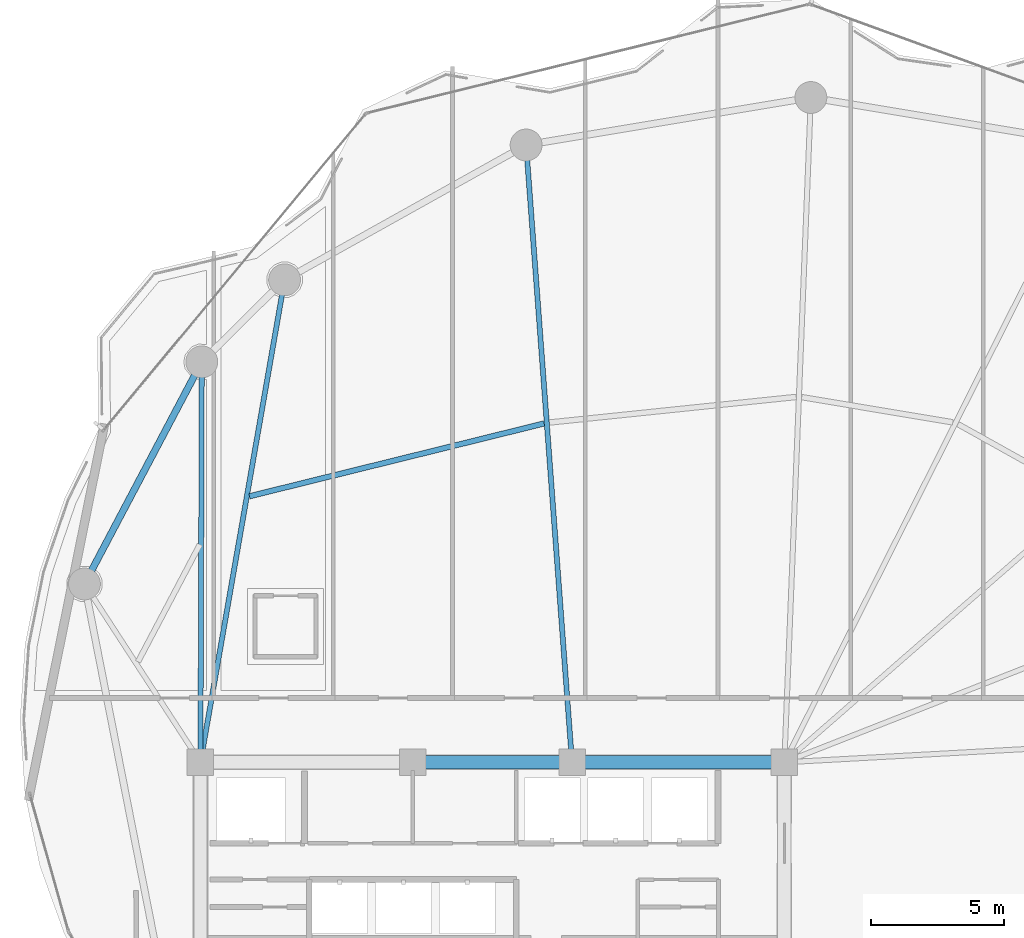
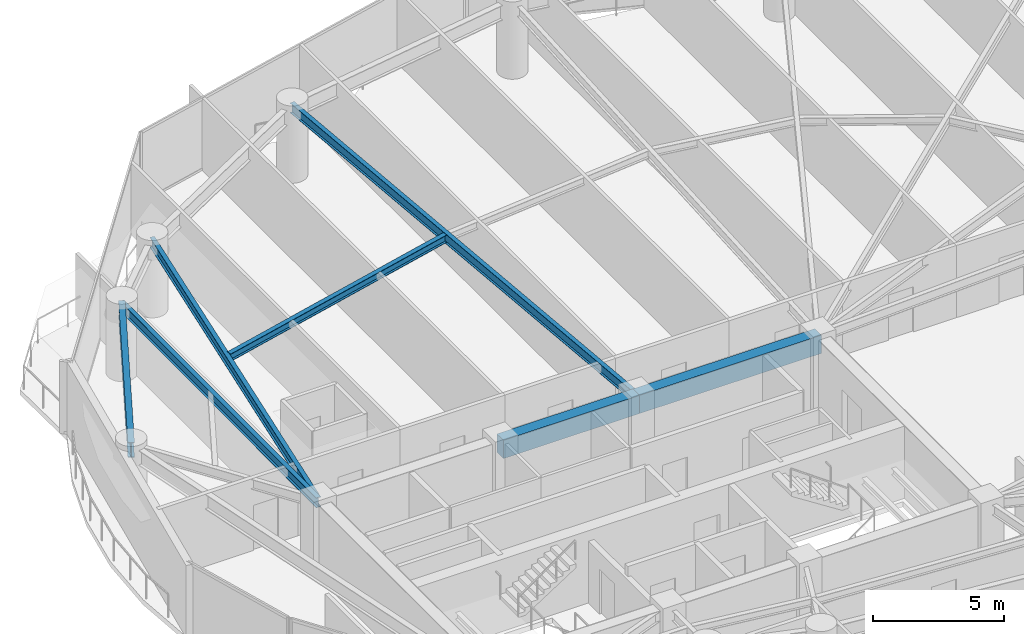
# One storey, part 8 of 28: 7 beams.
"""IFC4 building model written with IfcOpenShell, lengths in metres."""

from ifc_helpers import new_model, si_unit, direction, frame, origin, origin_2d, place, context, subcontext, project, spatial, rectangle, i_section, extrude, material, material_profile, profile_set, type_object, element, save


model = new_model("IFC4")

# Units and contexts
model_context = context("Model", 3, precision=1e-05, world=origin(), true_north=direction((0.0, 1.0)))
body_context = subcontext(model_context, "Body", "Model", "MODEL_VIEW")
ifc_project = project(units=[si_unit("LENGTHUNIT", "METRE"), si_unit("AREAUNIT", "SQUARE_METRE"), si_unit("VOLUMEUNIT", "CUBIC_METRE"), si_unit("PLANEANGLEUNIT", "RADIAN"), si_unit("MASSUNIT", "GRAM", prefix="KILO")], contexts=[model_context])

# Site, building, storey
site_placement = place(None, origin())
site = spatial("IfcSite", under=ifc_project, at=site_placement, CompositionType="ELEMENT")
building_placement = place(site_placement, origin())
building = spatial("IfcBuilding", under=site, at=building_placement, Name="Kazevale Care Tower and Concert Hall", CompositionType="ELEMENT")
storey_placement = place(building_placement, frame((0.0, 0.0, 135.0)))
storey = spatial("IfcBuildingStorey", under=building, at=storey_placement, Name="L35", CompositionType="ELEMENT", Elevation=135.0)

# Beams
ifc_material_1 = material(Name="Concrete C60", Category="concrete")
ifc_material_profile_1 = material_profile(ifc_material_1, rectangle(XDim=0.5, YDim=0.85009765625, at=origin_2d()), Name="RC-B500x850")
ifc_profile_set_1 = profile_set([ifc_material_profile_1], Name="Concrete C60")
beam_type_1 = type_object("IfcBeamType", Name="Core Coupling Beam RC500x850", PredefinedType="LINTEL", material=ifc_profile_set_1)
beam_1_placement = place(storey_placement, frame((44.0, 36.39990234375, 2.93505859375), z_axis=(-1.0, 0.0, 0.0), x_axis=(0.0, -1.0, 0.0)))
element("IfcBeam", 1, at=beam_1_placement, inside=storey, type_object=beam_type_1, Name="beam:L35:coretie:5", PredefinedType="LINTEL", context=body_context, shape_type="SweptSolid", body=[
    extrude(rectangle(XDim=0.5, YDim=0.85009765625, at=origin_2d()), origin(), (0.0, 0.0, 1.0), 8.0),
])
beam_2_placement = place(storey_placement, frame((36.0, 36.39990234375, 2.93505859375), z_axis=(-1.0, 0.0, 0.0), x_axis=(0.0, -1.0, 0.0)))
element("IfcBeam", 2, at=beam_2_placement, inside=storey, type_object=beam_type_1, Name="beam:L35:coretie:6", PredefinedType="LINTEL", context=body_context, shape_type="SweptSolid", body=[
    extrude(rectangle(XDim=0.5, YDim=0.85009765625, at=origin_2d()), origin(), (0.0, 0.0, 1.0), 6.0),
])
ifc_material_2 = material(Name="Steel ASTM A572 Gr 50", Category="steel")
ifc_material_profile_2 = material_profile(ifc_material_2, i_section(OverallWidth=0.19091796875, OverallDepth=0.4599609375, WebThickness=0.010009765625, FlangeThickness=0.01611328125, at=origin_2d()), Name="W460x82")
ifc_profile_set_2 = profile_set([ifc_material_profile_2], Name="Steel ASTM A572 Gr 50")
beam_type_2 = type_object("IfcBeamType", Name="Radial Floor Beam W460x82", PredefinedType="BEAM", material=ifc_profile_set_2)
beam_3_placement = place(storey_placement, frame((36.0, 36.39990234375, 3.1298828125), z_axis=(-0.074170876808, 0.997245547011, 0.0), x_axis=(-0.997245547011, -0.074170876808, 0.0)))
element("IfcBeam", 3, at=beam_3_placement, inside=storey, type_object=beam_type_2, Name="beam:L35:rad:06", PredefinedType="BEAM", context=body_context, shape_type="SweptSolid", body=[
    extrude(i_section(OverallWidth=0.19091796875, OverallDepth=0.4599609375, WebThickness=0.010009765625, FlangeThickness=0.01611328125, at=origin_2d()), origin(), (0.0, 0.0, 1.0), 23.32421875),
])
beam_4_placement = place(storey_placement, frame((22.0, 36.39990234375, 3.1298828125), z_axis=(0.171769935245, 0.985137091651, 0.0), x_axis=(-0.985137091651, 0.171769935245, 0.0)))
element("IfcBeam", 4, at=beam_4_placement, inside=storey, type_object=beam_type_2, Name="beam:L35:rad:07", PredefinedType="BEAM", context=body_context, shape_type="SweptSolid", body=[
    extrude(i_section(OverallWidth=0.19091796875, OverallDepth=0.4599609375, WebThickness=0.010009765625, FlangeThickness=0.01611328125, at=origin_2d()), origin(), (0.0, 0.0, 1.0), 18.454345703125),
])
beam_5_placement = place(storey_placement, frame((22.0, 36.39990234375, 3.1298828125), z_axis=(0.003316650851, 0.999994499898, 0.0), x_axis=(-0.999994499898, 0.003316650851, 0.0)))
element("IfcBeam", 5, at=beam_5_placement, inside=storey, type_object=beam_type_2, Name="beam:L35:rad:08", PredefinedType="BEAM", context=body_context, shape_type="SweptSolid", body=[
    extrude(i_section(OverallWidth=0.19091796875, OverallDepth=0.4599609375, WebThickness=0.010009765625, FlangeThickness=0.01611328125, at=origin_2d()), origin(), (0.0, 0.0, 1.0), 15.090087890625),
])
ifc_material_profile_3 = material_profile(ifc_material_2, i_section(OverallWidth=0.205078125, OverallDepth=0.35400390625, WebThickness=0.009521484375, FlangeThickness=0.016845703125, at=origin_2d()), Name="W360x79")
ifc_profile_set_3 = profile_set([ifc_material_profile_3], Name="Steel ASTM A572 Gr 50")
beam_type_3 = type_object("IfcBeamType", Name="Secondary Floor Joist W360x79", PredefinedType="JOIST", material=ifc_profile_set_3)
beam_6_placement = place(storey_placement, frame((34.947021484375, 49.16796875, 3.18310546875), z_axis=(-0.970789504014, -0.239932779954, 0.0), x_axis=(0.239932779954, -0.970789504014, 0.0)))
element("IfcBeam", 6, at=beam_6_placement, inside=storey, type_object=beam_type_3, Name="beam:L35:joist:06", PredefinedType="JOIST", context=body_context, shape_type="SweptSolid", body=[
    extrude(i_section(OverallWidth=0.205078125, OverallDepth=0.35400390625, WebThickness=0.009521484375, FlangeThickness=0.016845703125, at=origin_2d()), origin(), (0.0, 0.0, 1.0), 11.43603515625),
])
ifc_material_profile_4 = material_profile(ifc_material_2, i_section(OverallWidth=0.256103515625, OverallDepth=0.693115234375, WebThickness=0.014404296875, FlangeThickness=0.023681640625, at=origin_2d()), Name="W690x170")
ifc_profile_set_4 = profile_set([ifc_material_profile_4], Name="Steel ASTM A572 Gr 50")
beam_type_4 = type_object("IfcBeamType", Name="Waist Ring Beam W690x170", PredefinedType="BEAM", material=ifc_profile_set_4)
beam_7_placement = place(storey_placement, frame((22.050048828125, 51.489990234375, 3.013427734375), z_axis=(-0.466984438127, -0.884265533959, 0.0), x_axis=(0.884265533959, -0.466984438127, 0.0)))
element("IfcBeam", 7, at=beam_7_placement, inside=storey, type_object=beam_type_4, Name="beam:L35:ring:08", PredefinedType="BEAM", context=body_context, shape_type="SweptSolid", body=[
    extrude(i_section(OverallWidth=0.256103515625, OverallDepth=0.693115234375, WebThickness=0.014404296875, FlangeThickness=0.023681640625, at=origin_2d()), origin(), (0.0, 0.0, 1.0), 9.46533203125),
])

save(model, "model.ifc")
